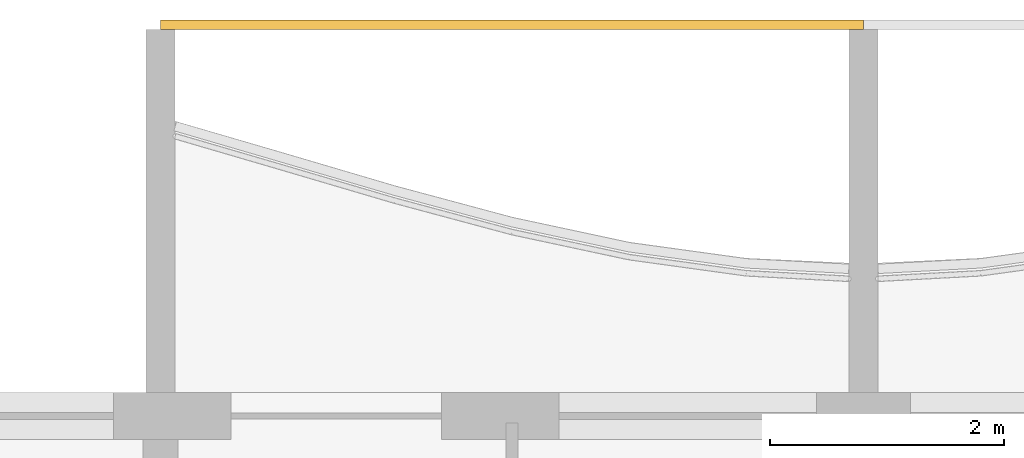
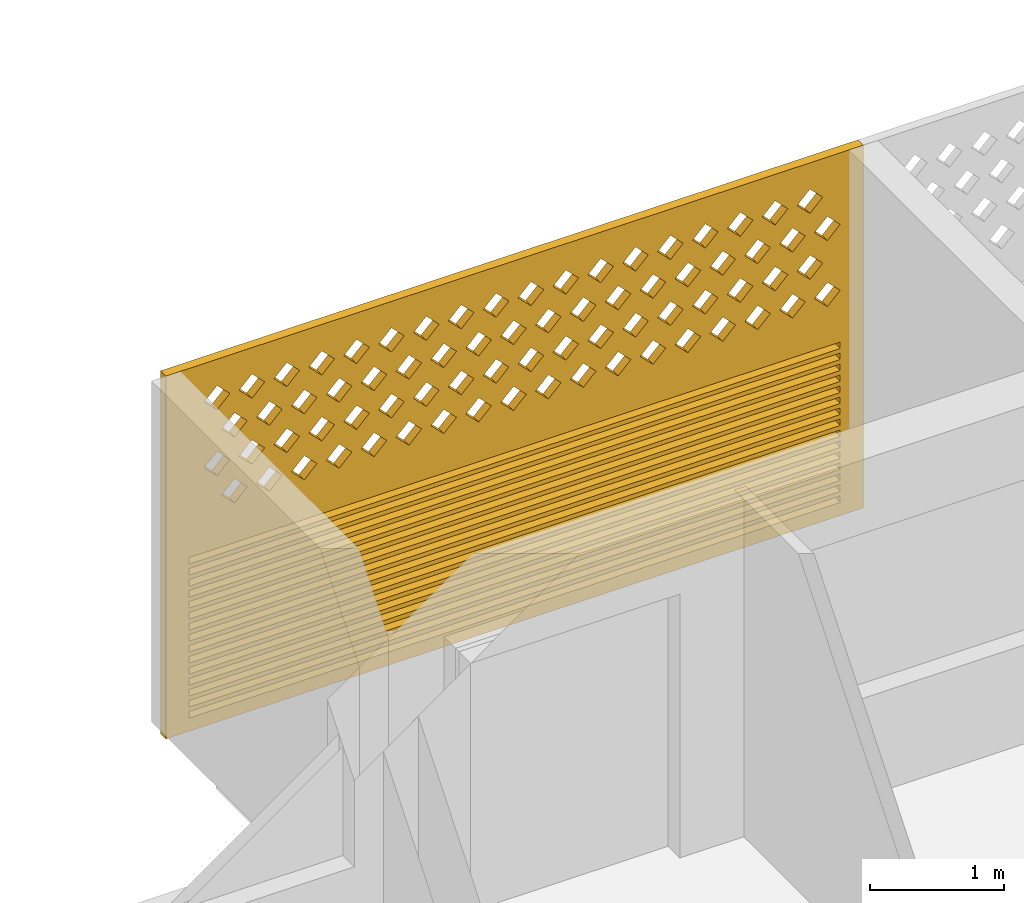
# One storey, part 30 of 32: 1 covering.
"""IFC4 building model written with IfcOpenShell, lengths in metres."""

from ifc_helpers import new_model, si_unit, direction, frame, origin, place, context, subcontext, project, spatial, polyline, outline, extrude, source, transform, mapped, material, material_profile, profile_set, type_object, element, save


model = new_model("IFC4")

# Units and contexts
model_context = context("Model", 3, precision=1e-05, world=origin(), true_north=direction((0.0, 1.0)))
body_context = subcontext(model_context, "Body", "Model", "MODEL_VIEW")
ifc_project = project(units=[si_unit("LENGTHUNIT", "METRE"), si_unit("AREAUNIT", "SQUARE_METRE"), si_unit("VOLUMEUNIT", "CUBIC_METRE"), si_unit("PLANEANGLEUNIT", "RADIAN"), si_unit("MASSUNIT", "GRAM", prefix="KILO")], contexts=[model_context])

# Site, building, storey
site_placement = place(None, origin())
site = spatial("IfcSite", under=ifc_project, at=site_placement, CompositionType="ELEMENT")
building_placement = place(site_placement, origin())
building = spatial("IfcBuilding", under=site, at=building_placement, Name="Poui Terraces", CompositionType="ELEMENT")
storey_placement = place(building_placement, frame((0.0, 0.0, 152.10009765625)))
storey = spatial("IfcBuildingStorey", under=building, at=storey_placement, Name="L42", CompositionType="ELEMENT", Elevation=152.10009765625)

# Covering
ifc_material = material(Name="Terracotta screen", Category="masonry")
ifc_material_profile = material_profile(ifc_material, outline(polyline([(-3.0, -1.64990234375), (3.0, -1.64990234375), (3.0, 1.64990234375), (-3.0, 1.64990234375), (-3.0, -1.64990234375)]), holes=[polyline([(-2.800048828125, 0.39990234375), (-2.68994140625, 0.2900390625), (-2.580078125, 0.39990234375), (-2.68994140625, 0.510009765625), (-2.800048828125, 0.39990234375)]), polyline([(-2.5, 0.39990234375), (-2.389892578125, 0.2900390625), (-2.280029296875, 0.39990234375), (-2.389892578125, 0.510009765625), (-2.5, 0.39990234375)]), polyline([(-2.199951171875, 0.39990234375), (-2.090087890625, 0.2900390625), (-1.97998046875, 0.39990234375), (-2.090087890625, 0.510009765625), (-2.199951171875, 0.39990234375)]), polyline([(-1.89990234375, 0.39990234375), (-1.7900390625, 0.2900390625), (-1.679931640625, 0.39990234375), (-1.7900390625, 0.510009765625), (-1.89990234375, 0.39990234375)]), polyline([(-1.60009765625, 0.39990234375), (-1.489990234375, 0.2900390625), (-1.3798828125, 0.39990234375), (-1.489990234375, 0.510009765625), (-1.60009765625, 0.39990234375)]), polyline([(-1.300048828125, 0.39990234375), (-1.18994140625, 0.2900390625), (-1.080078125, 0.39990234375), (-1.18994140625, 0.510009765625), (-1.300048828125, 0.39990234375)]), polyline([(-1.0, 0.39990234375), (-0.889892578125, 0.2900390625), (-0.780029296875, 0.39990234375), (-0.889892578125, 0.510009765625), (-1.0, 0.39990234375)]), polyline([(-0.699951171875, 0.39990234375), (-0.590087890625, 0.2900390625), (-0.47998046875, 0.39990234375), (-0.590087890625, 0.510009765625), (-0.699951171875, 0.39990234375)]), polyline([(-0.39990234375, 0.39990234375), (-0.2900390625, 0.2900390625), (-0.179931640625, 0.39990234375), (-0.2900390625, 0.510009765625), (-0.39990234375, 0.39990234375)]), polyline([(-0.10009765625, 0.39990234375), (0.010009765625, 0.2900390625), (0.1201171875, 0.39990234375), (0.010009765625, 0.510009765625), (-0.10009765625, 0.39990234375)]), polyline([(0.199951171875, 0.39990234375), (0.31005859375, 0.2900390625), (0.419921875, 0.39990234375), (0.31005859375, 0.510009765625), (0.199951171875, 0.39990234375)]), polyline([(0.5, 0.39990234375), (0.610107421875, 0.2900390625), (0.719970703125, 0.39990234375), (0.610107421875, 0.510009765625), (0.5, 0.39990234375)]), polyline([(0.800048828125, 0.39990234375), (0.909912109375, 0.2900390625), (1.02001953125, 0.39990234375), (0.909912109375, 0.510009765625), (0.800048828125, 0.39990234375)]), polyline([(1.10009765625, 0.39990234375), (1.2099609375, 0.2900390625), (1.320068359375, 0.39990234375), (1.2099609375, 0.510009765625), (1.10009765625, 0.39990234375)]), polyline([(1.39990234375, 0.39990234375), (1.510009765625, 0.2900390625), (1.6201171875, 0.39990234375), (1.510009765625, 0.510009765625), (1.39990234375, 0.39990234375)]), polyline([(1.699951171875, 0.39990234375), (1.81005859375, 0.2900390625), (1.919921875, 0.39990234375), (1.81005859375, 0.510009765625), (1.699951171875, 0.39990234375)]), polyline([(2.0, 0.39990234375), (2.110107421875, 0.2900390625), (2.219970703125, 0.39990234375), (2.110107421875, 0.510009765625), (2.0, 0.39990234375)]), polyline([(2.300048828125, 0.39990234375), (2.409912109375, 0.2900390625), (2.52001953125, 0.39990234375), (2.409912109375, 0.510009765625), (2.300048828125, 0.39990234375)]), polyline([(-2.64990234375, 0.699951171875), (-2.5400390625, 0.590087890625), (-2.429931640625, 0.699951171875), (-2.5400390625, 0.81005859375), (-2.64990234375, 0.699951171875)]), polyline([(-2.35009765625, 0.699951171875), (-2.239990234375, 0.590087890625), (-2.1298828125, 0.699951171875), (-2.239990234375, 0.81005859375), (-2.35009765625, 0.699951171875)]), polyline([(-2.050048828125, 0.699951171875), (-1.93994140625, 0.590087890625), (-1.830078125, 0.699951171875), (-1.93994140625, 0.81005859375), (-2.050048828125, 0.699951171875)]), polyline([(-1.75, 0.699951171875), (-1.639892578125, 0.590087890625), (-1.530029296875, 0.699951171875), (-1.639892578125, 0.81005859375), (-1.75, 0.699951171875)]), polyline([(-1.449951171875, 0.699951171875), (-1.340087890625, 0.590087890625), (-1.22998046875, 0.699951171875), (-1.340087890625, 0.81005859375), (-1.449951171875, 0.699951171875)]), polyline([(-1.14990234375, 0.699951171875), (-1.0400390625, 0.590087890625), (-0.929931640625, 0.699951171875), (-1.0400390625, 0.81005859375), (-1.14990234375, 0.699951171875)]), polyline([(-0.85009765625, 0.699951171875), (-0.739990234375, 0.590087890625), (-0.6298828125, 0.699951171875), (-0.739990234375, 0.81005859375), (-0.85009765625, 0.699951171875)]), polyline([(-0.550048828125, 0.699951171875), (-0.43994140625, 0.590087890625), (-0.330078125, 0.699951171875), (-0.43994140625, 0.81005859375), (-0.550048828125, 0.699951171875)]), polyline([(-0.25, 0.699951171875), (-0.139892578125, 0.590087890625), (-0.030029296875, 0.699951171875), (-0.139892578125, 0.81005859375), (-0.25, 0.699951171875)]), polyline([(0.050048828125, 0.699951171875), (0.159912109375, 0.590087890625), (0.27001953125, 0.699951171875), (0.159912109375, 0.81005859375), (0.050048828125, 0.699951171875)]), polyline([(0.35009765625, 0.699951171875), (0.4599609375, 0.590087890625), (0.570068359375, 0.699951171875), (0.4599609375, 0.81005859375), (0.35009765625, 0.699951171875)]), polyline([(0.64990234375, 0.699951171875), (0.760009765625, 0.590087890625), (0.8701171875, 0.699951171875), (0.760009765625, 0.81005859375), (0.64990234375, 0.699951171875)]), polyline([(0.949951171875, 0.699951171875), (1.06005859375, 0.590087890625), (1.169921875, 0.699951171875), (1.06005859375, 0.81005859375), (0.949951171875, 0.699951171875)]), polyline([(1.25, 0.699951171875), (1.360107421875, 0.590087890625), (1.469970703125, 0.699951171875), (1.360107421875, 0.81005859375), (1.25, 0.699951171875)]), polyline([(1.550048828125, 0.699951171875), (1.659912109375, 0.590087890625), (1.77001953125, 0.699951171875), (1.659912109375, 0.81005859375), (1.550048828125, 0.699951171875)]), polyline([(1.85009765625, 0.699951171875), (1.9599609375, 0.590087890625), (2.070068359375, 0.699951171875), (1.9599609375, 0.81005859375), (1.85009765625, 0.699951171875)]), polyline([(2.14990234375, 0.699951171875), (2.260009765625, 0.590087890625), (2.3701171875, 0.699951171875), (2.260009765625, 0.81005859375), (2.14990234375, 0.699951171875)]), polyline([(2.449951171875, 0.699951171875), (2.56005859375, 0.590087890625), (2.669921875, 0.699951171875), (2.56005859375, 0.81005859375), (2.449951171875, 0.699951171875)]), polyline([(-2.800048828125, 1.0), (-2.68994140625, 0.889892578125), (-2.580078125, 1.0), (-2.68994140625, 1.110107421875), (-2.800048828125, 1.0)]), polyline([(-2.5, 1.0), (-2.389892578125, 0.889892578125), (-2.280029296875, 1.0), (-2.389892578125, 1.110107421875), (-2.5, 1.0)]), polyline([(-2.199951171875, 1.0), (-2.090087890625, 0.889892578125), (-1.97998046875, 1.0), (-2.090087890625, 1.110107421875), (-2.199951171875, 1.0)]), polyline([(-1.89990234375, 1.0), (-1.7900390625, 0.889892578125), (-1.679931640625, 1.0), (-1.7900390625, 1.110107421875), (-1.89990234375, 1.0)]), polyline([(-1.60009765625, 1.0), (-1.489990234375, 0.889892578125), (-1.3798828125, 1.0), (-1.489990234375, 1.110107421875), (-1.60009765625, 1.0)]), polyline([(-1.300048828125, 1.0), (-1.18994140625, 0.889892578125), (-1.080078125, 1.0), (-1.18994140625, 1.110107421875), (-1.300048828125, 1.0)]), polyline([(-1.0, 1.0), (-0.889892578125, 0.889892578125), (-0.780029296875, 1.0), (-0.889892578125, 1.110107421875), (-1.0, 1.0)]), polyline([(-0.699951171875, 1.0), (-0.590087890625, 0.889892578125), (-0.47998046875, 1.0), (-0.590087890625, 1.110107421875), (-0.699951171875, 1.0)]), polyline([(-0.39990234375, 1.0), (-0.2900390625, 0.889892578125), (-0.179931640625, 1.0), (-0.2900390625, 1.110107421875), (-0.39990234375, 1.0)]), polyline([(-0.10009765625, 1.0), (0.010009765625, 0.889892578125), (0.1201171875, 1.0), (0.010009765625, 1.110107421875), (-0.10009765625, 1.0)]), polyline([(0.199951171875, 1.0), (0.31005859375, 0.889892578125), (0.419921875, 1.0), (0.31005859375, 1.110107421875), (0.199951171875, 1.0)]), polyline([(0.5, 1.0), (0.610107421875, 0.889892578125), (0.719970703125, 1.0), (0.610107421875, 1.110107421875), (0.5, 1.0)]), polyline([(0.800048828125, 1.0), (0.909912109375, 0.889892578125), (1.02001953125, 1.0), (0.909912109375, 1.110107421875), (0.800048828125, 1.0)]), polyline([(1.10009765625, 1.0), (1.2099609375, 0.889892578125), (1.320068359375, 1.0), (1.2099609375, 1.110107421875), (1.10009765625, 1.0)]), polyline([(1.39990234375, 1.0), (1.510009765625, 0.889892578125), (1.6201171875, 1.0), (1.510009765625, 1.110107421875), (1.39990234375, 1.0)]), polyline([(1.699951171875, 1.0), (1.81005859375, 0.889892578125), (1.919921875, 1.0), (1.81005859375, 1.110107421875), (1.699951171875, 1.0)]), polyline([(2.0, 1.0), (2.110107421875, 0.889892578125), (2.219970703125, 1.0), (2.110107421875, 1.110107421875), (2.0, 1.0)]), polyline([(2.300048828125, 1.0), (2.409912109375, 0.889892578125), (2.52001953125, 1.0), (2.409912109375, 1.110107421875), (2.300048828125, 1.0)]), polyline([(-2.64990234375, 1.300048828125), (-2.5400390625, 1.18994140625), (-2.429931640625, 1.300048828125), (-2.5400390625, 1.409912109375), (-2.64990234375, 1.300048828125)]), polyline([(-2.35009765625, 1.300048828125), (-2.239990234375, 1.18994140625), (-2.1298828125, 1.300048828125), (-2.239990234375, 1.409912109375), (-2.35009765625, 1.300048828125)]), polyline([(-2.050048828125, 1.300048828125), (-1.93994140625, 1.18994140625), (-1.830078125, 1.300048828125), (-1.93994140625, 1.409912109375), (-2.050048828125, 1.300048828125)]), polyline([(-1.75, 1.300048828125), (-1.639892578125, 1.18994140625), (-1.530029296875, 1.300048828125), (-1.639892578125, 1.409912109375), (-1.75, 1.300048828125)]), polyline([(-1.449951171875, 1.300048828125), (-1.340087890625, 1.18994140625), (-1.22998046875, 1.300048828125), (-1.340087890625, 1.409912109375), (-1.449951171875, 1.300048828125)]), polyline([(-1.14990234375, 1.300048828125), (-1.0400390625, 1.18994140625), (-0.929931640625, 1.300048828125), (-1.0400390625, 1.409912109375), (-1.14990234375, 1.300048828125)]), polyline([(-0.85009765625, 1.300048828125), (-0.739990234375, 1.18994140625), (-0.6298828125, 1.300048828125), (-0.739990234375, 1.409912109375), (-0.85009765625, 1.300048828125)]), polyline([(-0.550048828125, 1.300048828125), (-0.43994140625, 1.18994140625), (-0.330078125, 1.300048828125), (-0.43994140625, 1.409912109375), (-0.550048828125, 1.300048828125)]), polyline([(-0.25, 1.300048828125), (-0.139892578125, 1.18994140625), (-0.030029296875, 1.300048828125), (-0.139892578125, 1.409912109375), (-0.25, 1.300048828125)]), polyline([(0.050048828125, 1.300048828125), (0.159912109375, 1.18994140625), (0.27001953125, 1.300048828125), (0.159912109375, 1.409912109375), (0.050048828125, 1.300048828125)]), polyline([(0.35009765625, 1.300048828125), (0.4599609375, 1.18994140625), (0.570068359375, 1.300048828125), (0.4599609375, 1.409912109375), (0.35009765625, 1.300048828125)]), polyline([(0.64990234375, 1.300048828125), (0.760009765625, 1.18994140625), (0.8701171875, 1.300048828125), (0.760009765625, 1.409912109375), (0.64990234375, 1.300048828125)]), polyline([(0.949951171875, 1.300048828125), (1.06005859375, 1.18994140625), (1.169921875, 1.300048828125), (1.06005859375, 1.409912109375), (0.949951171875, 1.300048828125)]), polyline([(1.25, 1.300048828125), (1.360107421875, 1.18994140625), (1.469970703125, 1.300048828125), (1.360107421875, 1.409912109375), (1.25, 1.300048828125)]), polyline([(1.550048828125, 1.300048828125), (1.659912109375, 1.18994140625), (1.77001953125, 1.300048828125), (1.659912109375, 1.409912109375), (1.550048828125, 1.300048828125)]), polyline([(1.85009765625, 1.300048828125), (1.9599609375, 1.18994140625), (2.070068359375, 1.300048828125), (1.9599609375, 1.409912109375), (1.85009765625, 1.300048828125)]), polyline([(2.14990234375, 1.300048828125), (2.260009765625, 1.18994140625), (2.3701171875, 1.300048828125), (2.260009765625, 1.409912109375), (2.14990234375, 1.300048828125)]), polyline([(2.449951171875, 1.300048828125), (2.56005859375, 1.18994140625), (2.669921875, 1.300048828125), (2.56005859375, 1.409912109375), (2.449951171875, 1.300048828125)]), polyline([(-2.800048828125, -1.530029296875), (2.800048828125, -1.530029296875), (2.800048828125, -1.469970703125), (-2.800048828125, -1.469970703125), (-2.800048828125, -1.530029296875)]), polyline([(-2.800048828125, -1.429931640625), (2.800048828125, -1.429931640625), (2.800048828125, -1.3701171875), (-2.800048828125, -1.3701171875), (-2.800048828125, -1.429931640625)]), polyline([(-2.800048828125, -1.330078125), (2.800048828125, -1.330078125), (2.800048828125, -1.27001953125), (-2.800048828125, -1.27001953125), (-2.800048828125, -1.330078125)]), polyline([(-2.800048828125, -1.22998046875), (2.800048828125, -1.22998046875), (2.800048828125, -1.169921875), (-2.800048828125, -1.169921875), (-2.800048828125, -1.22998046875)]), polyline([(-2.800048828125, -1.1298828125), (2.800048828125, -1.1298828125), (2.800048828125, -1.070068359375), (-2.800048828125, -1.070068359375), (-2.800048828125, -1.1298828125)]), polyline([(-2.800048828125, -1.030029296875), (2.800048828125, -1.030029296875), (2.800048828125, -0.969970703125), (-2.800048828125, -0.969970703125), (-2.800048828125, -1.030029296875)]), polyline([(-2.800048828125, -0.929931640625), (2.800048828125, -0.929931640625), (2.800048828125, -0.8701171875), (-2.800048828125, -0.8701171875), (-2.800048828125, -0.929931640625)]), polyline([(-2.800048828125, -0.830078125), (2.800048828125, -0.830078125), (2.800048828125, -0.77001953125), (-2.800048828125, -0.77001953125), (-2.800048828125, -0.830078125)]), polyline([(-2.800048828125, -0.72998046875), (2.800048828125, -0.72998046875), (2.800048828125, -0.669921875), (-2.800048828125, -0.669921875), (-2.800048828125, -0.72998046875)]), polyline([(-2.800048828125, -0.6298828125), (2.800048828125, -0.6298828125), (2.800048828125, -0.570068359375), (-2.800048828125, -0.570068359375), (-2.800048828125, -0.6298828125)]), polyline([(-2.800048828125, -0.530029296875), (2.800048828125, -0.530029296875), (2.800048828125, -0.469970703125), (-2.800048828125, -0.469970703125), (-2.800048828125, -0.530029296875)]), polyline([(-2.800048828125, -0.429931640625), (2.800048828125, -0.429931640625), (2.800048828125, -0.3701171875), (-2.800048828125, -0.3701171875), (-2.800048828125, -0.429931640625)]), polyline([(-2.800048828125, -0.330078125), (2.800048828125, -0.330078125), (2.800048828125, -0.27001953125), (-2.800048828125, -0.27001953125), (-2.800048828125, -0.330078125)]), polyline([(-2.800048828125, -0.22998046875), (2.800048828125, -0.22998046875), (2.800048828125, -0.169921875), (-2.800048828125, -0.169921875), (-2.800048828125, -0.22998046875)]), polyline([(-2.800048828125, -0.1298828125), (2.800048828125, -0.1298828125), (2.800048828125, -0.070068359375), (-2.800048828125, -0.070068359375), (-2.800048828125, -0.1298828125)])]), Name="TERRACOTTA SCREEN AND JALOUSIE LOUVRE 6000X3300")
ifc_profile_set = profile_set([ifc_material_profile], Name="Terracotta screen")
covering_type = type_object("IfcCoveringType", Name="TERRACOTTA SCREEN AND JALOUSIE LOUVRE 6000X3300", PredefinedType="CLADDING", material=ifc_profile_set)
shared_shape = source(origin(), body_context, "Body", "SweptSolid", [
    extrude(outline(polyline([(-3.0, -1.64990234375), (3.0, -1.64990234375), (3.0, 1.64990234375), (-3.0, 1.64990234375), (-3.0, -1.64990234375)]), holes=[polyline([(-2.800048828125, 0.39990234375), (-2.68994140625, 0.2900390625), (-2.580078125, 0.39990234375), (-2.68994140625, 0.510009765625), (-2.800048828125, 0.39990234375)]), polyline([(-2.5, 0.39990234375), (-2.389892578125, 0.2900390625), (-2.280029296875, 0.39990234375), (-2.389892578125, 0.510009765625), (-2.5, 0.39990234375)]), polyline([(-2.199951171875, 0.39990234375), (-2.090087890625, 0.2900390625), (-1.97998046875, 0.39990234375), (-2.090087890625, 0.510009765625), (-2.199951171875, 0.39990234375)]), polyline([(-1.89990234375, 0.39990234375), (-1.7900390625, 0.2900390625), (-1.679931640625, 0.39990234375), (-1.7900390625, 0.510009765625), (-1.89990234375, 0.39990234375)]), polyline([(-1.60009765625, 0.39990234375), (-1.489990234375, 0.2900390625), (-1.3798828125, 0.39990234375), (-1.489990234375, 0.510009765625), (-1.60009765625, 0.39990234375)]), polyline([(-1.300048828125, 0.39990234375), (-1.18994140625, 0.2900390625), (-1.080078125, 0.39990234375), (-1.18994140625, 0.510009765625), (-1.300048828125, 0.39990234375)]), polyline([(-1.0, 0.39990234375), (-0.889892578125, 0.2900390625), (-0.780029296875, 0.39990234375), (-0.889892578125, 0.510009765625), (-1.0, 0.39990234375)]), polyline([(-0.699951171875, 0.39990234375), (-0.590087890625, 0.2900390625), (-0.47998046875, 0.39990234375), (-0.590087890625, 0.510009765625), (-0.699951171875, 0.39990234375)]), polyline([(-0.39990234375, 0.39990234375), (-0.2900390625, 0.2900390625), (-0.179931640625, 0.39990234375), (-0.2900390625, 0.510009765625), (-0.39990234375, 0.39990234375)]), polyline([(-0.10009765625, 0.39990234375), (0.010009765625, 0.2900390625), (0.1201171875, 0.39990234375), (0.010009765625, 0.510009765625), (-0.10009765625, 0.39990234375)]), polyline([(0.199951171875, 0.39990234375), (0.31005859375, 0.2900390625), (0.419921875, 0.39990234375), (0.31005859375, 0.510009765625), (0.199951171875, 0.39990234375)]), polyline([(0.5, 0.39990234375), (0.610107421875, 0.2900390625), (0.719970703125, 0.39990234375), (0.610107421875, 0.510009765625), (0.5, 0.39990234375)]), polyline([(0.800048828125, 0.39990234375), (0.909912109375, 0.2900390625), (1.02001953125, 0.39990234375), (0.909912109375, 0.510009765625), (0.800048828125, 0.39990234375)]), polyline([(1.10009765625, 0.39990234375), (1.2099609375, 0.2900390625), (1.320068359375, 0.39990234375), (1.2099609375, 0.510009765625), (1.10009765625, 0.39990234375)]), polyline([(1.39990234375, 0.39990234375), (1.510009765625, 0.2900390625), (1.6201171875, 0.39990234375), (1.510009765625, 0.510009765625), (1.39990234375, 0.39990234375)]), polyline([(1.699951171875, 0.39990234375), (1.81005859375, 0.2900390625), (1.919921875, 0.39990234375), (1.81005859375, 0.510009765625), (1.699951171875, 0.39990234375)]), polyline([(2.0, 0.39990234375), (2.110107421875, 0.2900390625), (2.219970703125, 0.39990234375), (2.110107421875, 0.510009765625), (2.0, 0.39990234375)]), polyline([(2.300048828125, 0.39990234375), (2.409912109375, 0.2900390625), (2.52001953125, 0.39990234375), (2.409912109375, 0.510009765625), (2.300048828125, 0.39990234375)]), polyline([(-2.64990234375, 0.699951171875), (-2.5400390625, 0.590087890625), (-2.429931640625, 0.699951171875), (-2.5400390625, 0.81005859375), (-2.64990234375, 0.699951171875)]), polyline([(-2.35009765625, 0.699951171875), (-2.239990234375, 0.590087890625), (-2.1298828125, 0.699951171875), (-2.239990234375, 0.81005859375), (-2.35009765625, 0.699951171875)]), polyline([(-2.050048828125, 0.699951171875), (-1.93994140625, 0.590087890625), (-1.830078125, 0.699951171875), (-1.93994140625, 0.81005859375), (-2.050048828125, 0.699951171875)]), polyline([(-1.75, 0.699951171875), (-1.639892578125, 0.590087890625), (-1.530029296875, 0.699951171875), (-1.639892578125, 0.81005859375), (-1.75, 0.699951171875)]), polyline([(-1.449951171875, 0.699951171875), (-1.340087890625, 0.590087890625), (-1.22998046875, 0.699951171875), (-1.340087890625, 0.81005859375), (-1.449951171875, 0.699951171875)]), polyline([(-1.14990234375, 0.699951171875), (-1.0400390625, 0.590087890625), (-0.929931640625, 0.699951171875), (-1.0400390625, 0.81005859375), (-1.14990234375, 0.699951171875)]), polyline([(-0.85009765625, 0.699951171875), (-0.739990234375, 0.590087890625), (-0.6298828125, 0.699951171875), (-0.739990234375, 0.81005859375), (-0.85009765625, 0.699951171875)]), polyline([(-0.550048828125, 0.699951171875), (-0.43994140625, 0.590087890625), (-0.330078125, 0.699951171875), (-0.43994140625, 0.81005859375), (-0.550048828125, 0.699951171875)]), polyline([(-0.25, 0.699951171875), (-0.139892578125, 0.590087890625), (-0.030029296875, 0.699951171875), (-0.139892578125, 0.81005859375), (-0.25, 0.699951171875)]), polyline([(0.050048828125, 0.699951171875), (0.159912109375, 0.590087890625), (0.27001953125, 0.699951171875), (0.159912109375, 0.81005859375), (0.050048828125, 0.699951171875)]), polyline([(0.35009765625, 0.699951171875), (0.4599609375, 0.590087890625), (0.570068359375, 0.699951171875), (0.4599609375, 0.81005859375), (0.35009765625, 0.699951171875)]), polyline([(0.64990234375, 0.699951171875), (0.760009765625, 0.590087890625), (0.8701171875, 0.699951171875), (0.760009765625, 0.81005859375), (0.64990234375, 0.699951171875)]), polyline([(0.949951171875, 0.699951171875), (1.06005859375, 0.590087890625), (1.169921875, 0.699951171875), (1.06005859375, 0.81005859375), (0.949951171875, 0.699951171875)]), polyline([(1.25, 0.699951171875), (1.360107421875, 0.590087890625), (1.469970703125, 0.699951171875), (1.360107421875, 0.81005859375), (1.25, 0.699951171875)]), polyline([(1.550048828125, 0.699951171875), (1.659912109375, 0.590087890625), (1.77001953125, 0.699951171875), (1.659912109375, 0.81005859375), (1.550048828125, 0.699951171875)]), polyline([(1.85009765625, 0.699951171875), (1.9599609375, 0.590087890625), (2.070068359375, 0.699951171875), (1.9599609375, 0.81005859375), (1.85009765625, 0.699951171875)]), polyline([(2.14990234375, 0.699951171875), (2.260009765625, 0.590087890625), (2.3701171875, 0.699951171875), (2.260009765625, 0.81005859375), (2.14990234375, 0.699951171875)]), polyline([(2.449951171875, 0.699951171875), (2.56005859375, 0.590087890625), (2.669921875, 0.699951171875), (2.56005859375, 0.81005859375), (2.449951171875, 0.699951171875)]), polyline([(-2.800048828125, 1.0), (-2.68994140625, 0.889892578125), (-2.580078125, 1.0), (-2.68994140625, 1.110107421875), (-2.800048828125, 1.0)]), polyline([(-2.5, 1.0), (-2.389892578125, 0.889892578125), (-2.280029296875, 1.0), (-2.389892578125, 1.110107421875), (-2.5, 1.0)]), polyline([(-2.199951171875, 1.0), (-2.090087890625, 0.889892578125), (-1.97998046875, 1.0), (-2.090087890625, 1.110107421875), (-2.199951171875, 1.0)]), polyline([(-1.89990234375, 1.0), (-1.7900390625, 0.889892578125), (-1.679931640625, 1.0), (-1.7900390625, 1.110107421875), (-1.89990234375, 1.0)]), polyline([(-1.60009765625, 1.0), (-1.489990234375, 0.889892578125), (-1.3798828125, 1.0), (-1.489990234375, 1.110107421875), (-1.60009765625, 1.0)]), polyline([(-1.300048828125, 1.0), (-1.18994140625, 0.889892578125), (-1.080078125, 1.0), (-1.18994140625, 1.110107421875), (-1.300048828125, 1.0)]), polyline([(-1.0, 1.0), (-0.889892578125, 0.889892578125), (-0.780029296875, 1.0), (-0.889892578125, 1.110107421875), (-1.0, 1.0)]), polyline([(-0.699951171875, 1.0), (-0.590087890625, 0.889892578125), (-0.47998046875, 1.0), (-0.590087890625, 1.110107421875), (-0.699951171875, 1.0)]), polyline([(-0.39990234375, 1.0), (-0.2900390625, 0.889892578125), (-0.179931640625, 1.0), (-0.2900390625, 1.110107421875), (-0.39990234375, 1.0)]), polyline([(-0.10009765625, 1.0), (0.010009765625, 0.889892578125), (0.1201171875, 1.0), (0.010009765625, 1.110107421875), (-0.10009765625, 1.0)]), polyline([(0.199951171875, 1.0), (0.31005859375, 0.889892578125), (0.419921875, 1.0), (0.31005859375, 1.110107421875), (0.199951171875, 1.0)]), polyline([(0.5, 1.0), (0.610107421875, 0.889892578125), (0.719970703125, 1.0), (0.610107421875, 1.110107421875), (0.5, 1.0)]), polyline([(0.800048828125, 1.0), (0.909912109375, 0.889892578125), (1.02001953125, 1.0), (0.909912109375, 1.110107421875), (0.800048828125, 1.0)]), polyline([(1.10009765625, 1.0), (1.2099609375, 0.889892578125), (1.320068359375, 1.0), (1.2099609375, 1.110107421875), (1.10009765625, 1.0)]), polyline([(1.39990234375, 1.0), (1.510009765625, 0.889892578125), (1.6201171875, 1.0), (1.510009765625, 1.110107421875), (1.39990234375, 1.0)]), polyline([(1.699951171875, 1.0), (1.81005859375, 0.889892578125), (1.919921875, 1.0), (1.81005859375, 1.110107421875), (1.699951171875, 1.0)]), polyline([(2.0, 1.0), (2.110107421875, 0.889892578125), (2.219970703125, 1.0), (2.110107421875, 1.110107421875), (2.0, 1.0)]), polyline([(2.300048828125, 1.0), (2.409912109375, 0.889892578125), (2.52001953125, 1.0), (2.409912109375, 1.110107421875), (2.300048828125, 1.0)]), polyline([(-2.64990234375, 1.300048828125), (-2.5400390625, 1.18994140625), (-2.429931640625, 1.300048828125), (-2.5400390625, 1.409912109375), (-2.64990234375, 1.300048828125)]), polyline([(-2.35009765625, 1.300048828125), (-2.239990234375, 1.18994140625), (-2.1298828125, 1.300048828125), (-2.239990234375, 1.409912109375), (-2.35009765625, 1.300048828125)]), polyline([(-2.050048828125, 1.300048828125), (-1.93994140625, 1.18994140625), (-1.830078125, 1.300048828125), (-1.93994140625, 1.409912109375), (-2.050048828125, 1.300048828125)]), polyline([(-1.75, 1.300048828125), (-1.639892578125, 1.18994140625), (-1.530029296875, 1.300048828125), (-1.639892578125, 1.409912109375), (-1.75, 1.300048828125)]), polyline([(-1.449951171875, 1.300048828125), (-1.340087890625, 1.18994140625), (-1.22998046875, 1.300048828125), (-1.340087890625, 1.409912109375), (-1.449951171875, 1.300048828125)]), polyline([(-1.14990234375, 1.300048828125), (-1.0400390625, 1.18994140625), (-0.929931640625, 1.300048828125), (-1.0400390625, 1.409912109375), (-1.14990234375, 1.300048828125)]), polyline([(-0.85009765625, 1.300048828125), (-0.739990234375, 1.18994140625), (-0.6298828125, 1.300048828125), (-0.739990234375, 1.409912109375), (-0.85009765625, 1.300048828125)]), polyline([(-0.550048828125, 1.300048828125), (-0.43994140625, 1.18994140625), (-0.330078125, 1.300048828125), (-0.43994140625, 1.409912109375), (-0.550048828125, 1.300048828125)]), polyline([(-0.25, 1.300048828125), (-0.139892578125, 1.18994140625), (-0.030029296875, 1.300048828125), (-0.139892578125, 1.409912109375), (-0.25, 1.300048828125)]), polyline([(0.050048828125, 1.300048828125), (0.159912109375, 1.18994140625), (0.27001953125, 1.300048828125), (0.159912109375, 1.409912109375), (0.050048828125, 1.300048828125)]), polyline([(0.35009765625, 1.300048828125), (0.4599609375, 1.18994140625), (0.570068359375, 1.300048828125), (0.4599609375, 1.409912109375), (0.35009765625, 1.300048828125)]), polyline([(0.64990234375, 1.300048828125), (0.760009765625, 1.18994140625), (0.8701171875, 1.300048828125), (0.760009765625, 1.409912109375), (0.64990234375, 1.300048828125)]), polyline([(0.949951171875, 1.300048828125), (1.06005859375, 1.18994140625), (1.169921875, 1.300048828125), (1.06005859375, 1.409912109375), (0.949951171875, 1.300048828125)]), polyline([(1.25, 1.300048828125), (1.360107421875, 1.18994140625), (1.469970703125, 1.300048828125), (1.360107421875, 1.409912109375), (1.25, 1.300048828125)]), polyline([(1.550048828125, 1.300048828125), (1.659912109375, 1.18994140625), (1.77001953125, 1.300048828125), (1.659912109375, 1.409912109375), (1.550048828125, 1.300048828125)]), polyline([(1.85009765625, 1.300048828125), (1.9599609375, 1.18994140625), (2.070068359375, 1.300048828125), (1.9599609375, 1.409912109375), (1.85009765625, 1.300048828125)]), polyline([(2.14990234375, 1.300048828125), (2.260009765625, 1.18994140625), (2.3701171875, 1.300048828125), (2.260009765625, 1.409912109375), (2.14990234375, 1.300048828125)]), polyline([(2.449951171875, 1.300048828125), (2.56005859375, 1.18994140625), (2.669921875, 1.300048828125), (2.56005859375, 1.409912109375), (2.449951171875, 1.300048828125)]), polyline([(-2.800048828125, -1.530029296875), (2.800048828125, -1.530029296875), (2.800048828125, -1.469970703125), (-2.800048828125, -1.469970703125), (-2.800048828125, -1.530029296875)]), polyline([(-2.800048828125, -1.429931640625), (2.800048828125, -1.429931640625), (2.800048828125, -1.3701171875), (-2.800048828125, -1.3701171875), (-2.800048828125, -1.429931640625)]), polyline([(-2.800048828125, -1.330078125), (2.800048828125, -1.330078125), (2.800048828125, -1.27001953125), (-2.800048828125, -1.27001953125), (-2.800048828125, -1.330078125)]), polyline([(-2.800048828125, -1.22998046875), (2.800048828125, -1.22998046875), (2.800048828125, -1.169921875), (-2.800048828125, -1.169921875), (-2.800048828125, -1.22998046875)]), polyline([(-2.800048828125, -1.1298828125), (2.800048828125, -1.1298828125), (2.800048828125, -1.070068359375), (-2.800048828125, -1.070068359375), (-2.800048828125, -1.1298828125)]), polyline([(-2.800048828125, -1.030029296875), (2.800048828125, -1.030029296875), (2.800048828125, -0.969970703125), (-2.800048828125, -0.969970703125), (-2.800048828125, -1.030029296875)]), polyline([(-2.800048828125, -0.929931640625), (2.800048828125, -0.929931640625), (2.800048828125, -0.8701171875), (-2.800048828125, -0.8701171875), (-2.800048828125, -0.929931640625)]), polyline([(-2.800048828125, -0.830078125), (2.800048828125, -0.830078125), (2.800048828125, -0.77001953125), (-2.800048828125, -0.77001953125), (-2.800048828125, -0.830078125)]), polyline([(-2.800048828125, -0.72998046875), (2.800048828125, -0.72998046875), (2.800048828125, -0.669921875), (-2.800048828125, -0.669921875), (-2.800048828125, -0.72998046875)]), polyline([(-2.800048828125, -0.6298828125), (2.800048828125, -0.6298828125), (2.800048828125, -0.570068359375), (-2.800048828125, -0.570068359375), (-2.800048828125, -0.6298828125)]), polyline([(-2.800048828125, -0.530029296875), (2.800048828125, -0.530029296875), (2.800048828125, -0.469970703125), (-2.800048828125, -0.469970703125), (-2.800048828125, -0.530029296875)]), polyline([(-2.800048828125, -0.429931640625), (2.800048828125, -0.429931640625), (2.800048828125, -0.3701171875), (-2.800048828125, -0.3701171875), (-2.800048828125, -0.429931640625)]), polyline([(-2.800048828125, -0.330078125), (2.800048828125, -0.330078125), (2.800048828125, -0.27001953125), (-2.800048828125, -0.27001953125), (-2.800048828125, -0.330078125)]), polyline([(-2.800048828125, -0.22998046875), (2.800048828125, -0.22998046875), (2.800048828125, -0.169921875), (-2.800048828125, -0.169921875), (-2.800048828125, -0.22998046875)]), polyline([(-2.800048828125, -0.1298828125), (2.800048828125, -0.1298828125), (2.800048828125, -0.070068359375), (-2.800048828125, -0.070068359375), (-2.800048828125, -0.1298828125)])]), origin(), (0.0, 0.0, 1.0), 0.080078125),
])
covering_placement = place(storey_placement, frame((75.0, 45.699951171875, 1.449951171875), z_axis=(0.0, 1.0, 0.0), x_axis=(-1.0, 0.0, 0.0)))
element("IfcCovering", 1, at=covering_placement, inside=storey, type_object=covering_type, Name="SOLAR SCREEN AND JALOUSIE LOUVRE", PredefinedType="CLADDING", context=body_context, shape_type="MappedRepresentation", body=[
    mapped(shared_shape, transform((0.0, 0.0, 0.0))),
])

save(model, "model.ifc")
